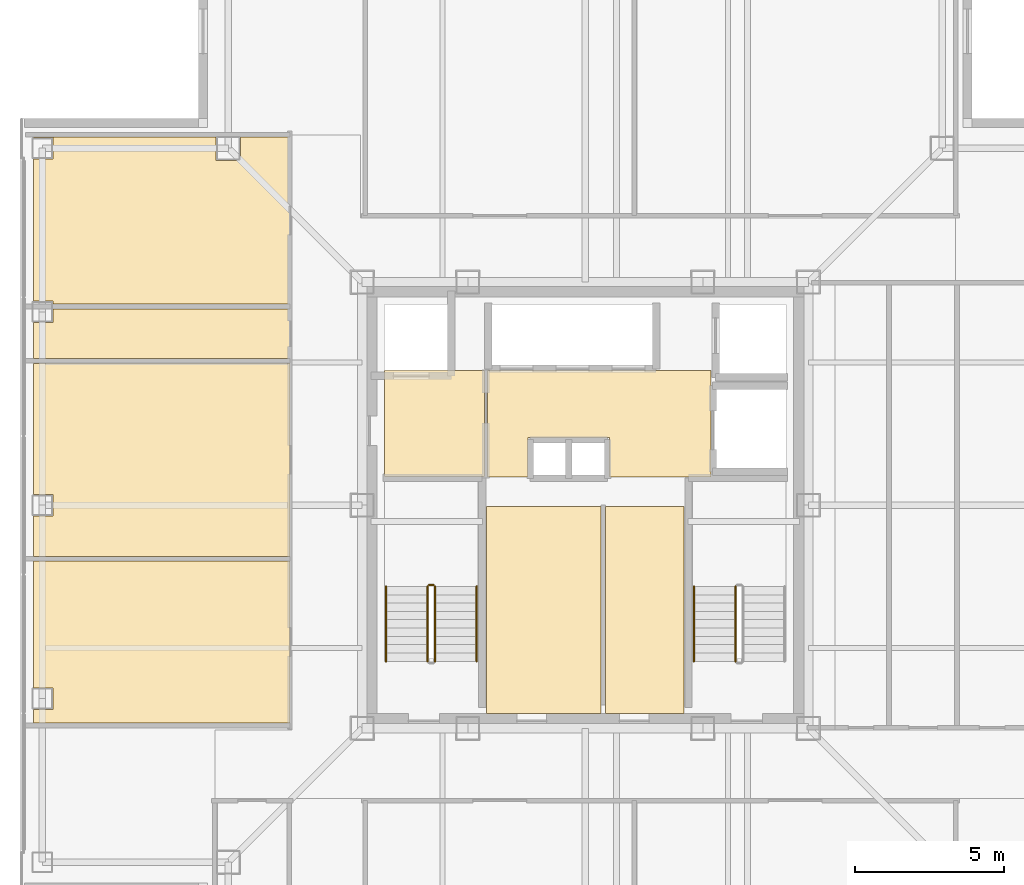
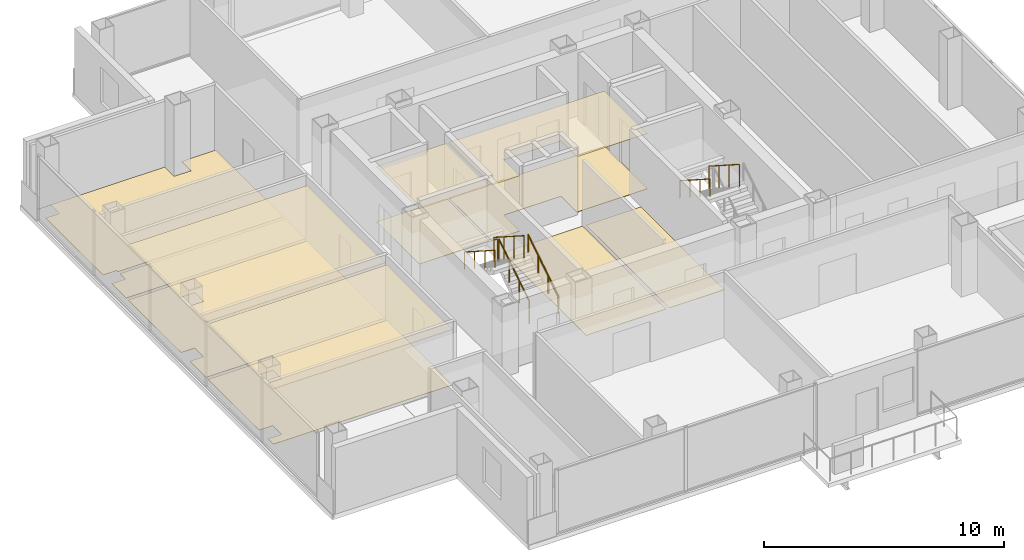
# One storey, part 12 of 15: 12 coverings, 7 railings.
"""IFC4 building model written with IfcOpenShell, lengths in metres."""

from ifc_helpers import new_model, si_unit, direction, frame, origin, origin_2d, place, context, subcontext, project, spatial, polyline, circle, outline, extrude, material, layer, layer_set, type_object, element, save


model = new_model("IFC4")

# Units and contexts
model_context = context("Model", 3, precision=1e-05, world=origin(), true_north=direction((0.0, 1.0)))
body_context = subcontext(model_context, "Body", "Model", "MODEL_VIEW")
ifc_project = project(units=[si_unit("LENGTHUNIT", "METRE"), si_unit("AREAUNIT", "SQUARE_METRE"), si_unit("VOLUMEUNIT", "CUBIC_METRE"), si_unit("PLANEANGLEUNIT", "RADIAN"), si_unit("MASSUNIT", "GRAM", prefix="KILO")], contexts=[model_context])

# Site, building, storey
site_placement = place(None, origin())
site = spatial("IfcSite", under=ifc_project, at=site_placement, CompositionType="ELEMENT")
building_placement = place(site_placement, origin())
building = spatial("IfcBuilding", under=site, at=building_placement, Name="Trevonay Congress Spire", CompositionType="ELEMENT")
storey_placement = place(building_placement, frame((0.0, 0.0, 275.60009765625)))
storey = spatial("IfcBuildingStorey", under=building, at=storey_placement, Name="L72", CompositionType="ELEMENT", Elevation=275.60009765625)

# Coverings
ifc_material_1 = material(Name="Acoustic Mineral Fibre Board", Category="gypsum")
ifc_layer_1 = layer(ifc_material_1, 0.02490234375, Name="Acoustic Mineral Fibre Board")
ifc_layer_set_1 = layer_set([ifc_layer_1], Name="Acoustic Mineral Fibre Board")
covering_type_1 = type_object("IfcCoveringType", Name="COV-CEIL-ACOUSTIC", PredefinedType="CEILING", material=ifc_layer_set_1)
covering_1_placement = place(storey_placement, frame((0.0, 0.0, 2.809814453125)))
element("IfcCovering", 1, at=covering_1_placement, inside=storey, type_object=covering_type_1, Name="L72 Firefighting Lift Lobby West acoustic suspended ceiling", PredefinedType="CEILING", context=body_context, shape_type="SweptSolid", body=[
    extrude(outline(polyline([(-6.75, 0.9599609375), (-3.3798828125, 0.9599609375), (-3.3798828125, 4.52001953125), (-6.75, 4.52001953125), (-6.75, 0.9599609375)])), origin(), (0.0, 0.0, 1.0), 0.025146484375),
])
covering_2_placement = place(storey_placement, frame((0.0, 0.0, 2.809814453125)))
element("IfcCovering", 2, at=covering_2_placement, inside=storey, type_object=covering_type_1, Name="L72 Central and High-Rise Passenger Lift Lobby acoustic suspended ceiling", PredefinedType="CEILING", context=body_context, shape_type="SweptSolid", body=[
    extrude(outline(polyline([(-3.280029296875, 0.949951171875), (-1.919921875, 0.949951171875), (-1.919921875, 2.280029296875), (0.820068359375, 2.280029296875), (0.820068359375, 0.949951171875), (4.219970703125, 0.949951171875), (4.219970703125, 4.52001953125), (-3.280029296875, 4.52001953125), (-3.280029296875, 0.949951171875)])), origin(), (0.0, 0.0, 1.0), 0.025146484375),
])
covering_3_placement = place(storey_placement, frame((0.0, 0.0, 2.809814453125)))
element("IfcCovering", 3, at=covering_3_placement, inside=storey, type_object=covering_type_1, Name="L72 Green Bonds Desk Office acoustic suspended ceiling", PredefinedType="CEILING", context=body_context, shape_type="SweptSolid", body=[
    extrude(outline(polyline([(-18.550048828125, -1.8798828125), (-9.929931640625, -1.8798828125), (-9.929931640625, -7.320068359375), (-18.550048828125, -7.320068359375), (-18.550048828125, -6.860107421875), (-17.889892578125, -6.860107421875), (-17.889892578125, -6.139892578125), (-18.550048828125, -6.139892578125), (-18.550048828125, -1.8798828125)])), origin(), (0.0, 0.0, 1.0), 0.025146484375),
])
covering_4_placement = place(storey_placement, frame((0.0, 0.0, 2.809814453125)))
element("IfcCovering", 4, at=covering_4_placement, inside=storey, type_object=covering_type_1, Name="L72 Infrastructure Desk Office acoustic suspended ceiling", PredefinedType="CEILING", context=body_context, shape_type="SweptSolid", body=[
    extrude(outline(polyline([(-18.550048828125, 4.77001953125), (-9.929931640625, 4.77001953125), (-9.929931640625, -1.719970703125), (-18.550048828125, -1.719970703125), (-18.550048828125, -0.360107421875), (-17.889892578125, -0.360107421875), (-17.889892578125, 0.360107421875), (-18.550048828125, 0.360107421875), (-18.550048828125, 4.77001953125)])), origin(), (0.0, 0.0, 1.0), 0.025146484375),
])
ifc_material_2 = material(Name="Polished Granite Floor Tile", Category="masonry")
ifc_layer_2 = layer(ifc_material_2, 0.02001953125, Name="Polished Granite Floor Tile")
ifc_layer_set_2 = layer_set([ifc_layer_2], Name="Polished Granite Floor Tile")
covering_type_2 = type_object("IfcCoveringType", Name="COV-FLOOR-STONE", PredefinedType="FLOORING", material=ifc_layer_set_2)
covering_5_placement = place(storey_placement, origin())
element("IfcCovering", 5, at=covering_5_placement, inside=storey, type_object=covering_type_2, Name="L72 Firefighting Lift Lobby West floor finish", PredefinedType="FLOORING", context=body_context, shape_type="SweptSolid", body=[
    extrude(outline(polyline([(-6.75, 0.9599609375), (-3.3798828125, 0.9599609375), (-3.3798828125, 4.52001953125), (-6.75, 4.52001953125), (-6.75, 0.9599609375)])), origin(), (0.0, 0.0, 1.0), 0.02001953125),
])
covering_6_placement = place(storey_placement, origin())
element("IfcCovering", 6, at=covering_6_placement, inside=storey, type_object=covering_type_2, Name="L72 Central and High-Rise Passenger Lift Lobby floor finish", PredefinedType="FLOORING", context=body_context, shape_type="SweptSolid", body=[
    extrude(outline(polyline([(-3.280029296875, 0.949951171875), (-1.919921875, 0.949951171875), (-1.919921875, 2.280029296875), (0.820068359375, 2.280029296875), (0.820068359375, 0.949951171875), (4.219970703125, 0.949951171875), (4.219970703125, 4.52001953125), (-3.280029296875, 4.52001953125), (-3.280029296875, 0.949951171875)])), origin(), (0.0, 0.0, 1.0), 0.02001953125),
])
covering_7_placement = place(storey_placement, origin())
element("IfcCovering", 7, at=covering_7_placement, inside=storey, type_object=covering_type_2, Name="L72 Core Electrical Sub-Board Room floor finish", PredefinedType="FLOORING", context=body_context, shape_type="SweptSolid", body=[
    extrude(outline(polyline([(-3.320068359375, -7.0), (0.52001953125, -7.0), (0.52001953125, -0.050048828125), (-3.320068359375, -0.050048828125), (-3.320068359375, -7.0)])), origin(), (0.0, 0.0, 1.0), 0.02001953125),
])
covering_8_placement = place(storey_placement, origin())
element("IfcCovering", 8, at=covering_8_placement, inside=storey, type_object=covering_type_2, Name="L72 Cleaner and Housekeeping Store floor finish", PredefinedType="FLOORING", context=body_context, shape_type="SweptSolid", body=[
    extrude(outline(polyline([(0.679931640625, -7.0), (3.320068359375, -7.0), (3.320068359375, -0.050048828125), (0.679931640625, -0.050048828125), (0.679931640625, -7.0)])), origin(), (0.0, 0.0, 1.0), 0.02001953125),
])
covering_9_placement = place(storey_placement, origin())
element("IfcCovering", 9, at=covering_9_placement, inside=storey, type_object=covering_type_2, Name="L72 Accessible WC floor finish", PredefinedType="FLOORING", context=body_context, shape_type="SweptSolid", body=[
    extrude(outline(polyline([(-9.929931640625, 6.60009765625), (-9.929931640625, 4.929931640625), (-18.550048828125, 4.929931640625), (-18.550048828125, 6.139892578125), (-17.889892578125, 6.139892578125), (-17.889892578125, 6.60009765625), (-9.929931640625, 6.60009765625)])), origin(), (0.0, 0.0, 1.0), 0.02001953125),
])
covering_10_placement = place(storey_placement, origin())
element("IfcCovering", 10, at=covering_10_placement, inside=storey, type_object=covering_type_2, Name="L72 Floor Supplies and Copy Room floor finish", PredefinedType="FLOORING", context=body_context, shape_type="SweptSolid", body=[
    extrude(outline(polyline([(-9.929931640625, 12.3701171875), (-9.929931640625, 6.760009765625), (-17.889892578125, 6.760009765625), (-17.889892578125, 6.860107421875), (-18.550048828125, 6.860107421875), (-18.550048828125, 11.639892578125), (-17.889892578125, 11.639892578125), (-17.889892578125, 12.360107421875), (-18.550048828125, 12.360107421875), (-18.550048828125, 12.3701171875), (-12.409912109375, 12.3701171875), (-12.409912109375, 11.590087890625), (-11.590087890625, 11.590087890625), (-11.590087890625, 12.3701171875), (-9.929931640625, 12.3701171875)])), origin(), (0.0, 0.0, 1.0), 0.02001953125),
])
ifc_material_3 = material(Name="Engineered Oak Flooring", Category="wood")
ifc_layer_3 = layer(ifc_material_3, 0.01806640625, Name="Engineered Oak Flooring")
ifc_layer_set_3 = layer_set([ifc_layer_3], Name="Engineered Oak Flooring")
covering_type_3 = type_object("IfcCoveringType", Name="COV-FLOOR-TIMBER", PredefinedType="FLOORING", material=ifc_layer_set_3)
covering_11_placement = place(storey_placement, origin())
element("IfcCovering", 11, at=covering_11_placement, inside=storey, type_object=covering_type_3, Name="L72 Green Bonds Desk Office floor finish", PredefinedType="FLOORING", context=body_context, shape_type="SweptSolid", body=[
    extrude(outline(polyline([(-18.550048828125, -1.8798828125), (-9.929931640625, -1.8798828125), (-9.929931640625, -7.320068359375), (-18.550048828125, -7.320068359375), (-18.550048828125, -6.860107421875), (-17.889892578125, -6.860107421875), (-17.889892578125, -6.139892578125), (-18.550048828125, -6.139892578125), (-18.550048828125, -1.8798828125)])), origin(), (0.0, 0.0, 1.0), 0.017822265625),
])
covering_12_placement = place(storey_placement, origin())
element("IfcCovering", 12, at=covering_12_placement, inside=storey, type_object=covering_type_3, Name="L72 Infrastructure Desk Office floor finish", PredefinedType="FLOORING", context=body_context, shape_type="SweptSolid", body=[
    extrude(outline(polyline([(-18.550048828125, 4.77001953125), (-9.929931640625, 4.77001953125), (-9.929931640625, -1.719970703125), (-18.550048828125, -1.719970703125), (-18.550048828125, -0.360107421875), (-17.889892578125, -0.360107421875), (-17.889892578125, 0.360107421875), (-18.550048828125, 0.360107421875), (-18.550048828125, 4.77001953125)])), origin(), (0.0, 0.0, 1.0), 0.017822265625),
])

# Railings
ifc_material_4 = material(Name="Pale Anodised Aluminium EN AW-6063-T6", Category="aluminium")
railing_type_1 = type_object("IfcRailingType", Name="RAL-STAIR-GUARD-110", PredefinedType="GUARDRAIL", material=ifc_material_4)
railing_1_placement = place(storey_placement, frame((-5.050048828125, -5.25, 0.179931640625)))
element("IfcRailing", 13, at=railing_1_placement, inside=storey, type_object=railing_type_1, Name="L72 ST-1 stair guard 1", PredefinedType="GUARDRAIL", context=body_context, shape_type="SweptSolid", body=[
    extrude(circle(Radius=0.02392578125, at=origin_2d()), frame((0.0, 0.0, 1.1259765625), z_axis=(0.0, 0.841199657755, 0.540724639528), x_axis=(-1.0, 0.0, 0.0)), (0.0, 0.0, 1.0), 2.995849609375),
    extrude(circle(Radius=0.02099609375, at=origin_2d()), origin(), (0.0, 0.0, 1.0), 1.101806640625),
    extrude(circle(Radius=0.02099609375, at=origin_2d()), frame((0.0, 0.840087890625, 0.5400390625)), (0.0, 0.0, 1.0), 1.101806640625),
    extrude(circle(Radius=0.02099609375, at=origin_2d()), frame((0.0, 1.679931640625, 1.079833984375)), (0.0, 0.0, 1.0), 1.101806640625),
    extrude(circle(Radius=0.02099609375, at=origin_2d()), frame((0.0, 2.52001953125, 1.619873046875)), (0.0, 0.0, 1.0), 1.101806640625),
])
railing_2_placement = place(storey_placement, frame((-5.10009765625, -2.679931640625, 1.7998046875)))
element("IfcRailing", 14, at=railing_2_placement, inside=storey, type_object=railing_type_1, Name="L72 ST-1 stair guard 2", PredefinedType="GUARDRAIL", context=body_context, shape_type="SweptSolid", body=[
    extrude(circle(Radius=0.02392578125, at=origin_2d()), frame((0.0, 0.0, 1.1259765625), z_axis=(-1.0, 0.0, 0.0), x_axis=(0.0, -1.0, 0.0)), (0.0, 0.0, 1.0), 0.14990234375),
    extrude(circle(Radius=0.02099609375, at=origin_2d()), origin(), (0.0, 0.0, 1.0), 1.101806640625),
    extrude(circle(Radius=0.02099609375, at=origin_2d()), frame((-0.14990234375, 0.0, 0.0)), (0.0, 0.0, 1.0), 1.101806640625),
])
for number, where, name in (
    (15, (-5.300048828125, -2.72998046875, 1.97998046875), "L72 ST-1 stair guard 3"),
    (16, (5.050048828125, -2.72998046875, 1.97998046875), "L72 ST-2 stair guard 3"),
):
    element("IfcRailing", number, at=place(storey_placement, frame(where)), inside=storey, type_object=railing_type_1, Name=name, PredefinedType="GUARDRAIL", context=body_context, shape_type="SweptSolid", body=[
        extrude(circle(Radius=0.02392578125, at=origin_2d()), frame((0.0, 0.0, 1.1259765625), z_axis=(0.0, -0.841199657755, 0.540724639528), x_axis=(1.0, 0.0, 0.0)), (0.0, 0.0, 1.0), 2.995849609375),
        extrude(circle(Radius=0.02099609375, at=origin_2d()), origin(), (0.0, 0.0, 1.0), 1.101806640625),
        extrude(circle(Radius=0.02099609375, at=origin_2d()), frame((0.0, -0.840087890625, 0.5400390625)), (0.0, 0.0, 1.0), 1.101806640625),
        extrude(circle(Radius=0.02099609375, at=origin_2d()), frame((0.0, -1.679931640625, 1.079833984375)), (0.0, 0.0, 1.0), 1.101806640625),
        extrude(circle(Radius=0.02099609375, at=origin_2d()), frame((0.0, -2.52001953125, 1.619873046875)), (0.0, 0.0, 1.0), 1.101806640625),
    ])
railing_type_2 = type_object("IfcRailingType", Name="RAL-STAIR-HANDRAIL", PredefinedType="HANDRAIL", material=ifc_material_4)
railing_3_placement = place(storey_placement, frame((-3.64990234375, -5.25, 0.179931640625)))
element("IfcRailing", 17, at=railing_3_placement, inside=storey, type_object=railing_type_2, Name="L72 ST-1 stair handrail 1", PredefinedType="HANDRAIL", context=body_context, shape_type="SweptSolid", body=[
    extrude(circle(Radius=0.02392578125, at=origin_2d()), frame((0.0, 0.0, 0.8759765625), z_axis=(0.0, 0.841199657755, 0.540724639528), x_axis=(-1.0, 0.0, 0.0)), (0.0, 0.0, 1.0), 2.995849609375),
    extrude(circle(Radius=0.02099609375, at=origin_2d()), origin(), (0.0, 0.0, 1.0), 0.851806640625),
    extrude(circle(Radius=0.02099609375, at=origin_2d()), frame((0.0, 0.840087890625, 0.5400390625)), (0.0, 0.0, 1.0), 0.851806640625),
    extrude(circle(Radius=0.02099609375, at=origin_2d()), frame((0.0, 1.679931640625, 1.079833984375)), (0.0, 0.0, 1.0), 0.851806640625),
    extrude(circle(Radius=0.02099609375, at=origin_2d()), frame((0.0, 2.52001953125, 1.619873046875)), (0.0, 0.0, 1.0), 0.851806640625),
])
for number, where, name in (
    (18, (-6.699951171875, -2.72998046875, 1.97998046875), "L72 ST-1 stair handrail 2"),
    (19, (3.64990234375, -2.72998046875, 1.97998046875), "L72 ST-2 stair handrail 2"),
):
    element("IfcRailing", number, at=place(storey_placement, frame(where)), inside=storey, type_object=railing_type_2, Name=name, PredefinedType="HANDRAIL", context=body_context, shape_type="SweptSolid", body=[
        extrude(circle(Radius=0.02392578125, at=origin_2d()), frame((0.0, 0.0, 0.8759765625), z_axis=(0.0, -0.841199657755, 0.540724639528), x_axis=(1.0, 0.0, 0.0)), (0.0, 0.0, 1.0), 2.995849609375),
        extrude(circle(Radius=0.02099609375, at=origin_2d()), origin(), (0.0, 0.0, 1.0), 0.851806640625),
        extrude(circle(Radius=0.02099609375, at=origin_2d()), frame((0.0, -0.840087890625, 0.5400390625)), (0.0, 0.0, 1.0), 0.851806640625),
        extrude(circle(Radius=0.02099609375, at=origin_2d()), frame((0.0, -1.679931640625, 1.079833984375)), (0.0, 0.0, 1.0), 0.851806640625),
        extrude(circle(Radius=0.02099609375, at=origin_2d()), frame((0.0, -2.52001953125, 1.619873046875)), (0.0, 0.0, 1.0), 0.851806640625),
    ])

save(model, "model.ifc")
